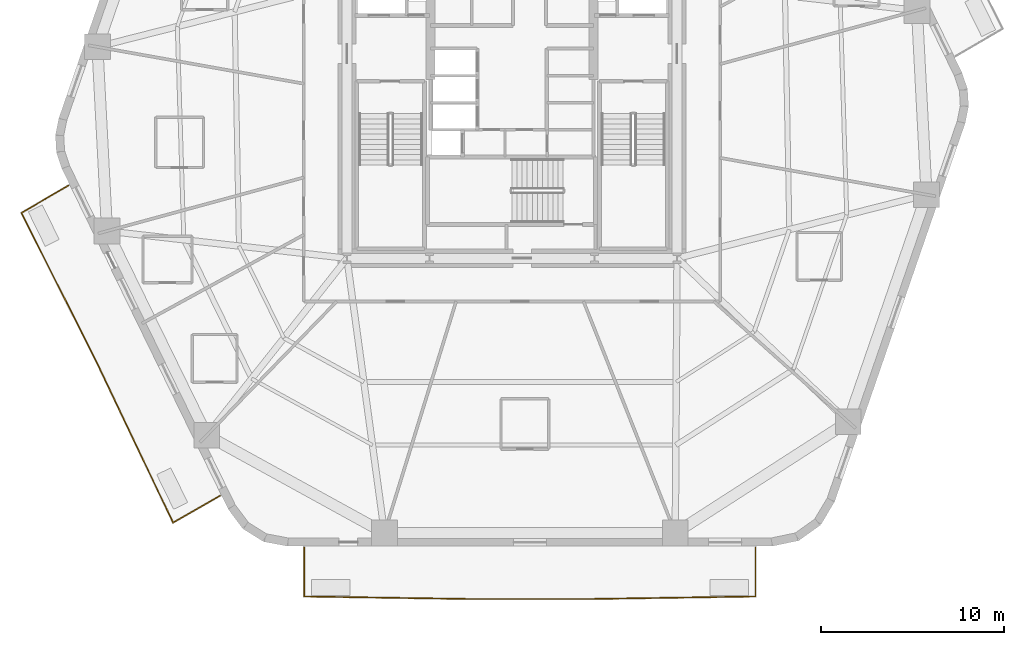
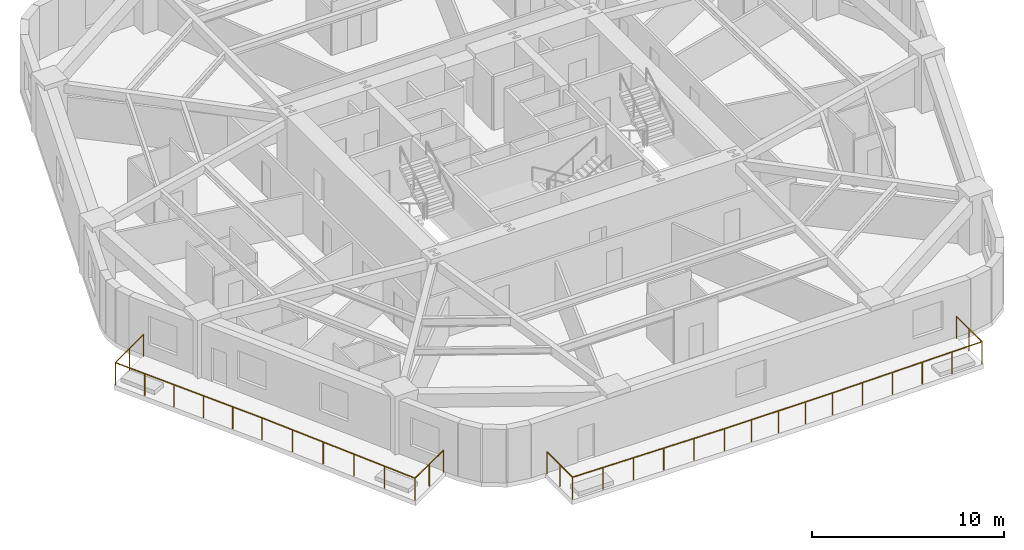
# One storey, part 7 of 9: 2 railings.
"""IFC4 building model written with IfcOpenShell, lengths in metres."""

from ifc_helpers import new_model, si_unit, direction, frame, origin, origin_2d, place, context, subcontext, project, spatial, rectangle, extrude, material, layer, layer_set, type_object, element, save


model = new_model("IFC4")

# Units and contexts
model_context = context("Model", 3, precision=1e-05, world=origin(), true_north=direction((0.0, 1.0)))
body_context = subcontext(model_context, "Body", "Model", "MODEL_VIEW")
ifc_project = project(units=[si_unit("LENGTHUNIT", "METRE"), si_unit("AREAUNIT", "SQUARE_METRE"), si_unit("VOLUMEUNIT", "CUBIC_METRE"), si_unit("PLANEANGLEUNIT", "RADIAN"), si_unit("MASSUNIT", "GRAM", prefix="KILO")], contexts=[model_context])

# Site, building, storey
site_placement = place(None, origin())
site = spatial("IfcSite", under=ifc_project, at=site_placement, CompositionType="ELEMENT")
building_placement = place(site_placement, origin())
building = spatial("IfcBuilding", under=site, at=building_placement, Name="Kilnhurst Terrace Hotel", CompositionType="ELEMENT")
storey_placement = place(building_placement, frame((0.0, 0.0, 60.10009765625)))
storey = spatial("IfcBuildingStorey", under=building, at=storey_placement, Name="L13", CompositionType="ELEMENT", Elevation=60.10009765625)

# Railings
ifc_material = material(Name="Laminated SentryGlas and Stainless Steel AISI 316L Balustrade", Category="steel")
ifc_layer = layer(ifc_material, 0.070068359375, Name="Laminated SentryGlas and Stainless Steel AISI 316L Balustrade")
ifc_layer_set = layer_set([ifc_layer], Name="Laminated SentryGlas and Stainless Steel AISI 316L Balustrade")
railing_type = type_object("IfcRailingType", Name="RLG-BAL-1420", PredefinedType="BALUSTRADE", material=ifc_layer_set)
railing_1_placement = place(storey_placement, frame((-15.923095703125, -20.44873046875, 0.0)))
element("IfcRailing", 1, at=railing_1_placement, inside=storey, type_object=railing_type, Name="L13 Exterior Terrace Guardrail BAL-L2A.1", PredefinedType="BALUSTRADE", context=body_context, shape_type="SweptSolid", body=[
    extrude(rectangle(XDim=0.048095703125, YDim=0.048095703125, at=origin_2d()), frame((0.0, 0.0, 1.39599609375), z_axis=(-0.86763656582, -0.497198943736, 0.0), x_axis=(0.497198943736, -0.86763656582, 0.0)), (0.0, 0.0, 1.0), 2.95068359375),
    extrude(rectangle(XDim=0.048095703125, YDim=0.048095703125, at=origin_2d()), frame((-2.56005859375, -1.467041015625, 1.39599609375), z_axis=(-0.430147205624, 0.902758761516, 0.0), x_axis=(-0.902758761516, -0.430147205624, 0.0)), (0.0, 0.0, 1.0), 9.67041015625),
    extrude(rectangle(XDim=0.048095703125, YDim=0.048095703125, at=origin_2d()), frame((-6.7197265625, 7.262939453125, 1.39599609375), z_axis=(-0.514495755428, 0.857492925713, 0.0), x_axis=(-0.857492925713, -0.514495755428, 0.0)), (0.0, 0.0, 1.0), 0.00146484375),
    extrude(rectangle(XDim=0.048095703125, YDim=0.048095703125, at=origin_2d()), frame((-6.720458984375, 7.26416015625, 1.39599609375), z_axis=(-0.449648824937, 0.89320542667, 0.0), x_axis=(-0.89320542667, -0.449648824937, 0.0)), (0.0, 0.0, 1.0), 9.136962890625),
    extrude(rectangle(XDim=0.048095703125, YDim=0.048095703125, at=origin_2d()), frame((-10.828857421875, 15.42529296875, 1.39599609375), z_axis=(0.863737120301, 0.503942642584, 0.0), x_axis=(-0.503942642584, 0.863737120301, 0.0)), (0.0, 0.0, 1.0), 2.96728515625),
    extrude(rectangle(XDim=0.0419921875, YDim=0.0419921875, at=origin_2d()), origin(), (0.0, 0.0, 1.0), 1.371826171875),
    extrude(rectangle(XDim=0.0419921875, YDim=0.0419921875, at=origin_2d()), frame((-1.280029296875, -0.7333984375, 0.0)), (0.0, 0.0, 1.0), 1.371826171875),
    extrude(rectangle(XDim=0.0419921875, YDim=0.0419921875, at=origin_2d()), frame((-2.56005859375, -1.467041015625, 0.0)), (0.0, 0.0, 1.0), 1.371826171875),
    extrude(rectangle(XDim=0.0419921875, YDim=0.0419921875, at=origin_2d()), frame((-3.39208984375, 0.279052734375, 0.0)), (0.0, 0.0, 1.0), 1.371826171875),
    extrude(rectangle(XDim=0.0419921875, YDim=0.0419921875, at=origin_2d()), frame((-4.223876953125, 2.02490234375, 0.0)), (0.0, 0.0, 1.0), 1.371826171875),
    extrude(rectangle(XDim=0.0419921875, YDim=0.0419921875, at=origin_2d()), frame((-5.055908203125, 3.77099609375, 0.0)), (0.0, 0.0, 1.0), 1.371826171875),
    extrude(rectangle(XDim=0.0419921875, YDim=0.0419921875, at=origin_2d()), frame((-5.8876953125, 5.516845703125, 0.0)), (0.0, 0.0, 1.0), 1.371826171875),
    extrude(rectangle(XDim=0.0419921875, YDim=0.0419921875, at=origin_2d()), frame((-6.7197265625, 7.262939453125, 0.0)), (0.0, 0.0, 1.0), 1.371826171875),
    extrude(rectangle(XDim=0.0419921875, YDim=0.0419921875, at=origin_2d()), frame((-6.720458984375, 7.26416015625, 0.0)), (0.0, 0.0, 1.0), 1.371826171875),
    extrude(rectangle(XDim=0.0419921875, YDim=0.0419921875, at=origin_2d()), frame((-7.542236328125, 8.896484375, 0.0)), (0.0, 0.0, 1.0), 1.371826171875),
    extrude(rectangle(XDim=0.0419921875, YDim=0.0419921875, at=origin_2d()), frame((-8.36376953125, 10.528564453125, 0.0)), (0.0, 0.0, 1.0), 1.371826171875),
    extrude(rectangle(XDim=0.0419921875, YDim=0.0419921875, at=origin_2d()), frame((-9.185546875, 12.160888671875, 0.0)), (0.0, 0.0, 1.0), 1.371826171875),
    extrude(rectangle(XDim=0.0419921875, YDim=0.0419921875, at=origin_2d()), frame((-10.007080078125, 13.79296875, 0.0)), (0.0, 0.0, 1.0), 1.371826171875),
    extrude(rectangle(XDim=0.0419921875, YDim=0.0419921875, at=origin_2d()), frame((-10.828857421875, 15.42529296875, 0.0)), (0.0, 0.0, 1.0), 1.371826171875),
    extrude(rectangle(XDim=0.0419921875, YDim=0.0419921875, at=origin_2d()), frame((-9.54736328125, 16.1728515625, 0.0)), (0.0, 0.0, 1.0), 1.371826171875),
    extrude(rectangle(XDim=0.0419921875, YDim=0.0419921875, at=origin_2d()), frame((-8.265869140625, 16.920654296875, 0.0)), (0.0, 0.0, 1.0), 1.371826171875),
])
railing_2_placement = place(storey_placement, frame((13.281494140625, -23.280029296875, 0.0)))
element("IfcRailing", 2, at=railing_2_placement, inside=storey, type_object=railing_type, Name="L13 Exterior Terrace Guardrail BAL-L2B.1", PredefinedType="BALUSTRADE", context=body_context, shape_type="SweptSolid", body=[
    extrude(rectangle(XDim=0.048095703125, YDim=0.048095703125, at=origin_2d()), frame((0.0, 0.0, 1.39599609375), z_axis=(0.0, -1.0, 0.0), x_axis=(1.0, 0.0, 0.0)), (0.0, 0.0, 1.0), 2.660888671875),
    extrude(rectangle(XDim=0.048095703125, YDim=0.048095703125, at=origin_2d()), frame((0.0, -2.660888671875, 1.39599609375), z_axis=(-0.999881869157, -0.015370352358, 0.0), x_axis=(0.015370352358, -0.999881869157, 0.0)), (0.0, 0.0, 1.0), 9.0537109375),
    extrude(rectangle(XDim=0.048095703125, YDim=0.048095703125, at=origin_2d()), frame((-9.052734375, -2.800048828125, 1.39599609375), z_axis=(-1.0, 0.0, 0.0), x_axis=(0.0, -1.0, 0.0)), (0.0, 0.0, 1.0), 6.508056640625),
    extrude(rectangle(XDim=0.048095703125, YDim=0.048095703125, at=origin_2d()), frame((-15.560791015625, -2.800048828125, 1.39599609375), z_axis=(-0.999881869157, 0.015370352358, 0.0), x_axis=(-0.015370352358, -0.999881869157, 0.0)), (0.0, 0.0, 1.0), 9.0537109375),
    extrude(rectangle(XDim=0.048095703125, YDim=0.048095703125, at=origin_2d()), frame((-24.613525390625, -2.660888671875, 1.39599609375), z_axis=(0.0, 1.0, 0.0), x_axis=(-1.0, 0.0, 0.0)), (0.0, 0.0, 1.0), 2.660888671875),
    extrude(rectangle(XDim=0.0419921875, YDim=0.0419921875, at=origin_2d()), origin(), (0.0, 0.0, 1.0), 1.371826171875),
    extrude(rectangle(XDim=0.0419921875, YDim=0.0419921875, at=origin_2d()), frame((0.0, -1.33056640625, 0.0)), (0.0, 0.0, 1.0), 1.371826171875),
    extrude(rectangle(XDim=0.0419921875, YDim=0.0419921875, at=origin_2d()), frame((0.0, -2.660888671875, 0.0)), (0.0, 0.0, 1.0), 1.371826171875),
    extrude(rectangle(XDim=0.0419921875, YDim=0.0419921875, at=origin_2d()), frame((-1.810546875, -2.688720703125, 0.0)), (0.0, 0.0, 1.0), 1.371826171875),
    extrude(rectangle(XDim=0.0419921875, YDim=0.0419921875, at=origin_2d()), frame((-3.62109375, -2.716552734375, 0.0)), (0.0, 0.0, 1.0), 1.371826171875),
    extrude(rectangle(XDim=0.0419921875, YDim=0.0419921875, at=origin_2d()), frame((-5.431640625, -2.744384765625, 0.0)), (0.0, 0.0, 1.0), 1.371826171875),
    extrude(rectangle(XDim=0.0419921875, YDim=0.0419921875, at=origin_2d()), frame((-7.2421875, -2.772216796875, 0.0)), (0.0, 0.0, 1.0), 1.371826171875),
    extrude(rectangle(XDim=0.0419921875, YDim=0.0419921875, at=origin_2d()), frame((-9.052734375, -2.800048828125, 0.0)), (0.0, 0.0, 1.0), 1.371826171875),
    extrude(rectangle(XDim=0.0419921875, YDim=0.0419921875, at=origin_2d()), frame((-10.6796875, -2.800048828125, 0.0)), (0.0, 0.0, 1.0), 1.371826171875),
    extrude(rectangle(XDim=0.0419921875, YDim=0.0419921875, at=origin_2d()), frame((-12.306640625, -2.800048828125, 0.0)), (0.0, 0.0, 1.0), 1.371826171875),
    extrude(rectangle(XDim=0.0419921875, YDim=0.0419921875, at=origin_2d()), frame((-13.933837890625, -2.800048828125, 0.0)), (0.0, 0.0, 1.0), 1.371826171875),
    extrude(rectangle(XDim=0.0419921875, YDim=0.0419921875, at=origin_2d()), frame((-15.560791015625, -2.800048828125, 0.0)), (0.0, 0.0, 1.0), 1.371826171875),
    extrude(rectangle(XDim=0.0419921875, YDim=0.0419921875, at=origin_2d()), frame((-17.371337890625, -2.772216796875, 0.0)), (0.0, 0.0, 1.0), 1.371826171875),
    extrude(rectangle(XDim=0.0419921875, YDim=0.0419921875, at=origin_2d()), frame((-19.181884765625, -2.744384765625, 0.0)), (0.0, 0.0, 1.0), 1.371826171875),
    extrude(rectangle(XDim=0.0419921875, YDim=0.0419921875, at=origin_2d()), frame((-20.992431640625, -2.716552734375, 0.0)), (0.0, 0.0, 1.0), 1.371826171875),
    extrude(rectangle(XDim=0.0419921875, YDim=0.0419921875, at=origin_2d()), frame((-22.802978515625, -2.688720703125, 0.0)), (0.0, 0.0, 1.0), 1.371826171875),
    extrude(rectangle(XDim=0.0419921875, YDim=0.0419921875, at=origin_2d()), frame((-24.613525390625, -2.660888671875, 0.0)), (0.0, 0.0, 1.0), 1.371826171875),
    extrude(rectangle(XDim=0.0419921875, YDim=0.0419921875, at=origin_2d()), frame((-24.613525390625, -1.33056640625, 0.0)), (0.0, 0.0, 1.0), 1.371826171875),
    extrude(rectangle(XDim=0.0419921875, YDim=0.0419921875, at=origin_2d()), frame((-24.613525390625, 0.0, 0.0)), (0.0, 0.0, 1.0), 1.371826171875),
])

save(model, "model.ifc")
